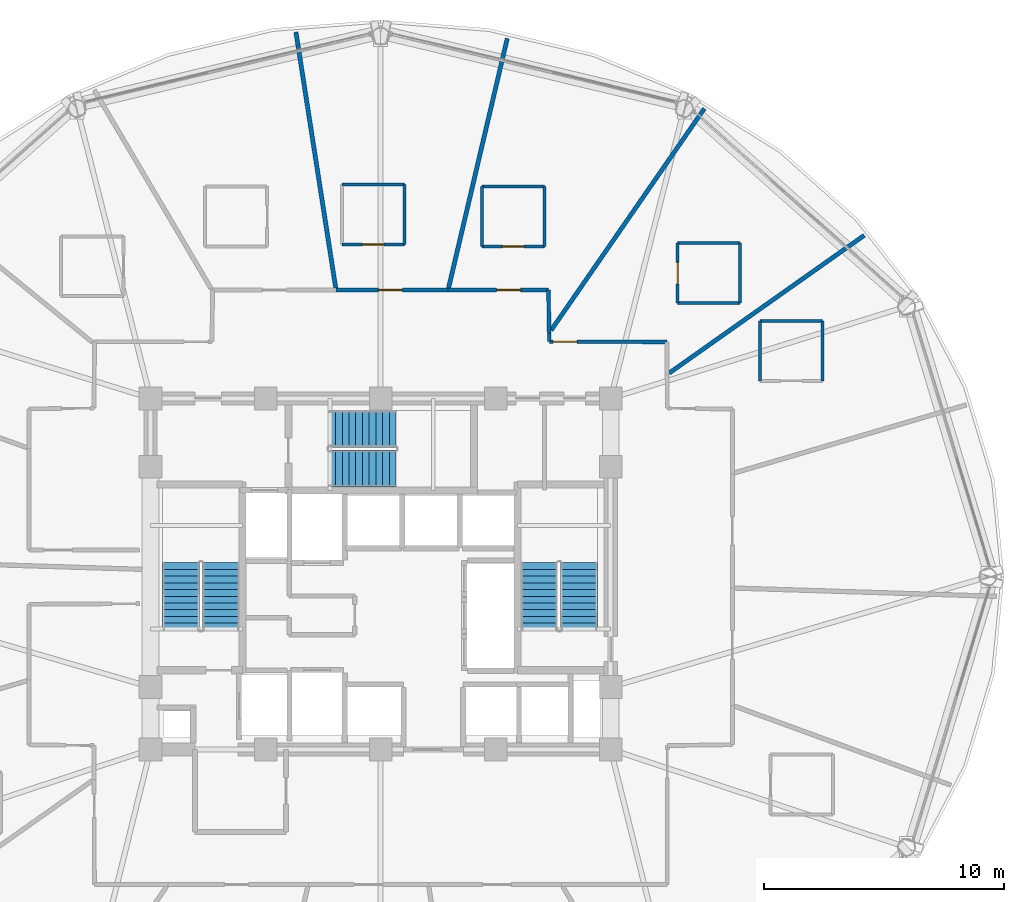
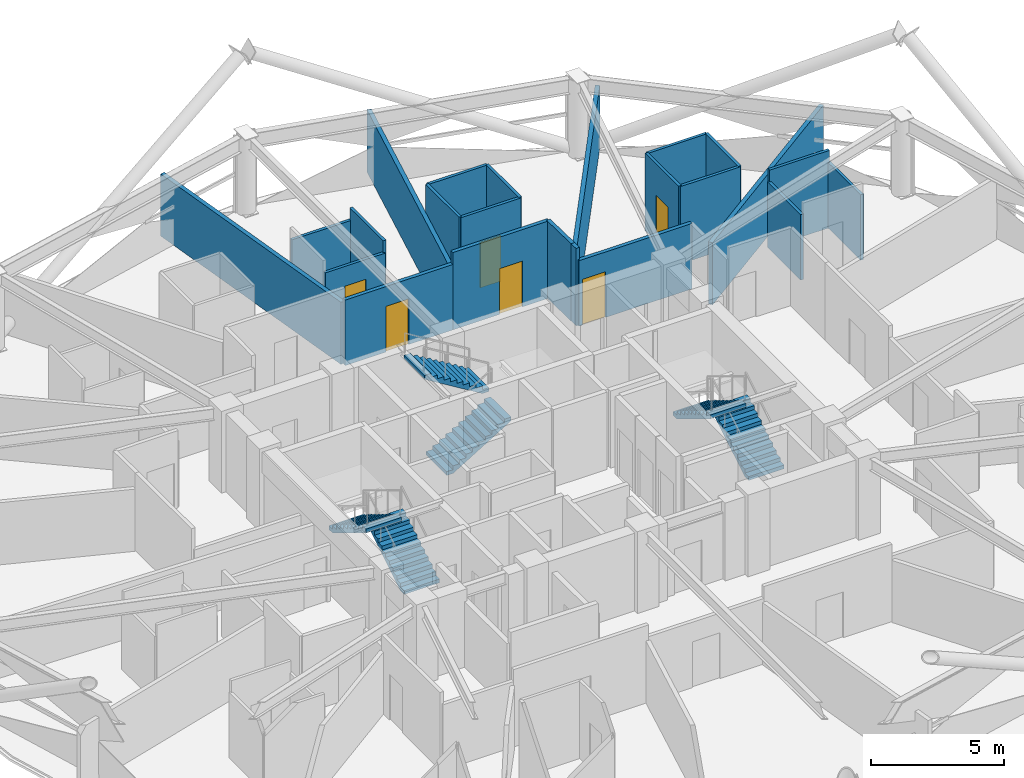
# One storey, part 26 of 30: 23 walls, 6 doors, 6 stair flights, 6 openings, 3 elements without a shape of their own.
"""IFC4 building model written with IfcOpenShell, lengths in metres."""

from ifc_helpers import new_model, si_unit, direction, frame, frame_2d, origin, place, context, subcontext, project, spatial, polyline, rectangle, outline, extrude, material, layer, layer_set, type_object, element, fill, aggregate, save


model = new_model("IFC4")

# Units and contexts
model_context = context("Model", 3, precision=1e-05, world=origin(), true_north=direction((0.0, 1.0)))
body_context = subcontext(model_context, "Body", "Model", "MODEL_VIEW")
ifc_project = project(units=[si_unit("LENGTHUNIT", "METRE"), si_unit("AREAUNIT", "SQUARE_METRE"), si_unit("VOLUMEUNIT", "CUBIC_METRE"), si_unit("PLANEANGLEUNIT", "RADIAN"), si_unit("MASSUNIT", "GRAM", prefix="KILO")], contexts=[model_context])

# Site, building, storey
site_placement = place(None, origin())
site = spatial("IfcSite", under=ifc_project, at=site_placement, CompositionType="ELEMENT")
building_placement = place(site_placement, origin())
building = spatial("IfcBuilding", under=site, at=building_placement, Name="Vantalir Tower", CompositionType="ELEMENT")
storey_placement = place(building_placement, frame((0.0, 0.0, 119.699951171875)))
storey = spatial("IfcBuildingStorey", under=building, at=storey_placement, Name="L29", CompositionType="ELEMENT", Elevation=119.699951171875)

# Walls
ifc_material_1 = material(Name="Moisture-resistant en-suite partition", Category="gypsum")
ifc_layer_1 = layer(ifc_material_1, 0.125)
ifc_layer_set_1 = layer_set([ifc_layer_1], Name="Moisture-resistant en-suite partition")
wall_type_1 = type_object("IfcWallType", Name="WL-BATH-125", PredefinedType="PARTITIONING", material=ifc_layer_set_1)
wall_1_placement = place(storey_placement, frame((47.333984375, 35.68310546875, 0.0), z_axis=(0.0, 0.0, 1.0), x_axis=(1.0, 0.0, 0.0)))
element("IfcWall", 1, at=wall_1_placement, inside=storey, type_object=wall_type_1, Name="L29 En-suite 01 North Wall", PredefinedType="PARTITIONING", context=body_context, shape_type="SweptSolid", body=[
    extrude(rectangle(XDim=2.60009765625, YDim=0.125, at=frame_2d((1.300048828125, 0.0))), origin(), (0.0, 0.0, 1.0), 3.550048828125),
])
for number, where, z_axis, x_axis, name in (
    (2, (47.333984375, 33.18310546875, 0.0), (0.0, 0.0, 1.0), (0.0, 1.0, 0.0), "L29 En-suite 01 West Wall"),
    (3, (49.93408203125, 33.18310546875, 0.0), (0.0, 0.0, 1.0), (0.0, 1.0, 0.0), "L29 En-suite 01 East Wall"),
):
    element("IfcWall", number, at=place(storey_placement, frame(where, z_axis=z_axis, x_axis=x_axis)), inside=storey, type_object=wall_type_1, Name=name, PredefinedType="PARTITIONING", context=body_context, shape_type="SweptSolid", body=[
        extrude(rectangle(XDim=2.5, YDim=0.125, at=frame_2d((1.25, 0.0))), origin(), (0.0, 0.0, 1.0), 3.006103515625),
    ])
for number, where, z_axis, x_axis, name in (
    (4, (43.89892578125, 36.424072265625, 0.0), (0.0, 0.0, 1.0), (1.0, 0.0, 0.0), "L29 En-suite 02 South Wall"),
    (5, (43.89892578125, 38.924072265625, 0.0), (0.0, 0.0, 1.0), (1.0, 0.0, 0.0), "L29 En-suite 02 North Wall"),
):
    element("IfcWall", number, at=place(storey_placement, frame(where, z_axis=z_axis, x_axis=x_axis)), inside=storey, type_object=wall_type_1, Name=name, PredefinedType="PARTITIONING", context=body_context, shape_type="SweptSolid", body=[
        extrude(rectangle(XDim=2.60009765625, YDim=0.125, at=frame_2d((1.300048828125, 0.0))), origin(), (0.0, 0.0, 1.0), 3.550048828125),
    ])

# Wall, opening, door
wall_2_placement = place(storey_placement, frame((43.89892578125, 36.424072265625, 0.0), z_axis=(0.0, 0.0, 1.0), x_axis=(0.0, 1.0, 0.0)))
wall_2 = element("IfcWall", 6, at=wall_2_placement, inside=storey, type_object=wall_type_1, Name="L29 En-suite 02 West Wall", PredefinedType="PARTITIONING", context=body_context, shape_type="SweptSolid", body=[
    extrude(rectangle(XDim=2.5, YDim=0.125, at=frame_2d((1.25, 0.0))), origin(), (0.0, 0.0, 1.0), 3.550048828125),
])
opening_1_placement = place(wall_2_placement, frame((0.800048828125, 0.0, 0.0)))
opening_1 = element("IfcOpeningElement", 7, at=opening_1_placement, cuts=wall_2, Name="Opening D-WC", PredefinedType="OPENING", context=body_context, shape_type="SweptSolid", body=[
    extrude(rectangle(XDim=0.89990234375, YDim=2.10009765625, at=frame_2d((0.449951171875, 1.050048828125))), frame((0.0, 0.072509765625, 0.0), z_axis=(0.0, -1.0, 0.0), x_axis=(1.0, 0.0, 0.0)), (0.0, 0.0, 1.0), 0.14501953125),
])
ifc_material_2 = material(Name="Moisture-resistant hardwood door", Category="wood")
door_type_1 = type_object("IfcDoorType", Name="DR-ENSUITE-900", OperationType="NOTDEFINED", PredefinedType="DOOR", material=ifc_material_2)
door_1_placement = place(opening_1_placement, frame((0.89990234375, 0.0, 0.0), z_axis=(0.0, 0.0, 1.0), x_axis=(-1.0, 0.0, 0.0)))
door_1 = element("IfcDoor", 8, at=door_1_placement, inside=storey, type_object=door_type_1, Name="L29 En-suite 02 Door", OperationType="SINGLE_SWING_RIGHT", OverallHeight=2.10009765625, OverallWidth=0.89990234375, PredefinedType="DOOR", context=body_context, shape_type="SweptSolid", body=[
    extrude(rectangle(XDim=0.89990234375, YDim=2.10009765625, at=frame_2d((0.449951171875, 1.050048828125))), frame((0.0, 0.02490234375, 0.0), z_axis=(0.0, -1.0, 0.0), x_axis=(1.0, 0.0, 0.0)), (0.0, 0.0, 1.0), 0.050048828125),
])
fill(opening_1, door_1)

# Wall
wall_3_placement = place(storey_placement, frame((46.4990234375, 36.424072265625, 0.0), z_axis=(0.0, 0.0, 1.0), x_axis=(0.0, 1.0, 0.0)))
element("IfcWall", 9, at=wall_3_placement, inside=storey, type_object=wall_type_1, Name="L29 En-suite 02 East Wall", PredefinedType="PARTITIONING", context=body_context, shape_type="SweptSolid", body=[
    extrude(rectangle(XDim=2.5, YDim=0.125, at=frame_2d((1.25, 0.0))), origin(), (0.0, 0.0, 1.0), 3.550048828125),
])

# Wall, opening, door
wall_4_placement = place(storey_placement, frame((35.72998046875, 38.784912109375, 0.0), z_axis=(0.0, 0.0, 1.0), x_axis=(1.0, 0.0, 0.0)))
wall_4 = element("IfcWall", 10, at=wall_4_placement, inside=storey, type_object=wall_type_1, Name="L29 En-suite 03 South Wall", PredefinedType="PARTITIONING", context=body_context, shape_type="SweptSolid", body=[
    extrude(rectangle(XDim=2.60009765625, YDim=0.125, at=frame_2d((1.300048828125, 0.0))), origin(), (0.0, 0.0, 1.0), 3.550048828125),
])
opening_2_placement = place(wall_4_placement, frame((0.85009765625, 0.0, 0.0)))
opening_2 = element("IfcOpeningElement", 11, at=opening_2_placement, cuts=wall_4, Name="Opening D-WC", PredefinedType="OPENING", context=body_context, shape_type="SweptSolid", body=[
    extrude(rectangle(XDim=0.89990234375, YDim=2.10009765625, at=frame_2d((0.449951171875, 1.050048828125))), frame((0.0, 0.072509765625, 0.0), z_axis=(0.0, -1.0, 0.0), x_axis=(1.0, 0.0, 0.0)), (0.0, 0.0, 1.0), 0.14501953125),
])
door_2_placement = place(opening_2_placement, origin())
door_2 = element("IfcDoor", 12, at=door_2_placement, inside=storey, type_object=door_type_1, Name="L29 En-suite 03 Door", OperationType="SINGLE_SWING_LEFT", OverallHeight=2.10009765625, OverallWidth=0.89990234375, PredefinedType="DOOR", context=body_context, shape_type="SweptSolid", body=[
    extrude(rectangle(XDim=0.89990234375, YDim=2.10009765625, at=frame_2d((0.449951171875, 1.050048828125))), frame((0.0, 0.02490234375, 0.0), z_axis=(0.0, -1.0, 0.0), x_axis=(1.0, 0.0, 0.0)), (0.0, 0.0, 1.0), 0.050048828125),
])
fill(opening_2, door_2)

# Walls
wall_5_placement = place(storey_placement, frame((35.72998046875, 41.284912109375, 0.0), z_axis=(0.0, 0.0, 1.0), x_axis=(1.0, 0.0, 0.0)))
element("IfcWall", 13, at=wall_5_placement, inside=storey, type_object=wall_type_1, Name="L29 En-suite 03 North Wall", PredefinedType="PARTITIONING", context=body_context, shape_type="SweptSolid", body=[
    extrude(rectangle(XDim=2.60009765625, YDim=0.125, at=frame_2d((1.300048828125, 0.0))), origin(), (0.0, 0.0, 1.0), 3.550048828125),
])
for number, where, z_axis, x_axis, name in (
    (14, (35.72998046875, 38.784912109375, 0.0), (0.0, 0.0, 1.0), (0.0, 1.0, 0.0), "L29 En-suite 03 West Wall"),
    (15, (38.330078125, 38.784912109375, 0.0), (0.0, 0.0, 1.0), (0.0, 1.0, 0.0), "L29 En-suite 03 East Wall"),
):
    element("IfcWall", number, at=place(storey_placement, frame(where, z_axis=z_axis, x_axis=x_axis)), inside=storey, type_object=wall_type_1, Name=name, PredefinedType="PARTITIONING", context=body_context, shape_type="SweptSolid", body=[
        extrude(rectangle(XDim=2.5, YDim=0.125, at=frame_2d((1.25, 0.0))), origin(), (0.0, 0.0, 1.0), 3.550048828125),
    ])

# Wall, opening, door
wall_6_placement = place(storey_placement, frame((29.887939453125, 38.875, 0.0), z_axis=(0.0, 0.0, 1.0), x_axis=(1.0, 0.0, 0.0)))
wall_6 = element("IfcWall", 16, at=wall_6_placement, inside=storey, type_object=wall_type_1, Name="L29 En-suite 04 South Wall", PredefinedType="PARTITIONING", context=body_context, shape_type="SweptSolid", body=[
    extrude(rectangle(XDim=2.60009765625, YDim=0.125, at=frame_2d((1.300048828125, 0.0))), origin(), (0.0, 0.0, 1.0), 3.006103515625),
])
opening_3_placement = place(wall_6_placement, frame((0.85009765625, 0.0, 0.0)))
opening_3 = element("IfcOpeningElement", 17, at=opening_3_placement, cuts=wall_6, Name="Opening D-WC", PredefinedType="OPENING", context=body_context, shape_type="SweptSolid", body=[
    extrude(rectangle(XDim=0.89990234375, YDim=2.10009765625, at=frame_2d((0.449951171875, 1.050048828125))), frame((0.0, 0.072509765625, 0.0), z_axis=(0.0, -1.0, 0.0), x_axis=(1.0, 0.0, 0.0)), (0.0, 0.0, 1.0), 0.14501953125),
])
door_3_placement = place(opening_3_placement, origin())
door_3 = element("IfcDoor", 18, at=door_3_placement, inside=storey, type_object=door_type_1, Name="L29 En-suite 04 Door", OperationType="SINGLE_SWING_RIGHT", OverallHeight=2.10009765625, OverallWidth=0.89990234375, PredefinedType="DOOR", context=body_context, shape_type="SweptSolid", body=[
    extrude(rectangle(XDim=0.89990234375, YDim=2.10009765625, at=frame_2d((0.449951171875, 1.050048828125))), frame((0.0, 0.02490234375, 0.0), z_axis=(0.0, -1.0, 0.0), x_axis=(1.0, 0.0, 0.0)), (0.0, 0.0, 1.0), 0.050048828125),
])
fill(opening_3, door_3)

# Walls
wall_7_placement = place(storey_placement, frame((29.887939453125, 41.375, 0.0), z_axis=(0.0, 0.0, 1.0), x_axis=(1.0, 0.0, 0.0)))
element("IfcWall", 19, at=wall_7_placement, inside=storey, type_object=wall_type_1, Name="L29 En-suite 04 North Wall", PredefinedType="PARTITIONING", context=body_context, shape_type="SweptSolid", body=[
    extrude(rectangle(XDim=2.60009765625, YDim=0.125, at=frame_2d((1.300048828125, 0.0))), origin(), (0.0, 0.0, 1.0), 3.006103515625),
])
wall_8_placement = place(storey_placement, frame((32.488037109375, 38.875, 0.0), z_axis=(0.0, 0.0, 1.0), x_axis=(0.0, 1.0, 0.0)))
element("IfcWall", 20, at=wall_8_placement, inside=storey, type_object=wall_type_1, Name="L29 En-suite 04 East Wall", PredefinedType="PARTITIONING", context=body_context, shape_type="SweptSolid", body=[
    extrude(rectangle(XDim=2.5, YDim=0.125, at=frame_2d((1.25, 0.0))), origin(), (0.0, 0.0, 1.0), 3.550048828125),
])

# Wall, opening, door
ifc_material_3 = material(Name="Fire-rated hotel corridor acoustic partition", Category="gypsum")
ifc_layer_2 = layer(ifc_material_3, 0.159912109375)
ifc_layer_set_2 = layer_set([ifc_layer_2], Name="Fire-rated hotel corridor acoustic partition")
wall_type_2 = type_object("IfcWallType", Name="WL-CORR-160", PredefinedType="PARTITIONING", material=ifc_layer_set_2)
wall_9_placement = place(storey_placement, frame((29.637939453125, 36.97607421875, 0.0), z_axis=(0.0, 0.0, 1.0), x_axis=(1.0, 0.0, 0.0)))
wall_9 = element("IfcWall", 21, at=wall_9_placement, inside=storey, type_object=wall_type_2, Name="L29 Corridor Partition 09", PredefinedType="PARTITIONING", context=body_context, shape_type="SweptSolid", body=[
    extrude(rectangle(XDim=4.677978515625, YDim=0.159912109375, at=frame_2d((2.3388671875, 0.0))), origin(), (0.0, 0.0, 1.0), 3.006103515625),
])
opening_4_placement = place(wall_9_placement, frame((1.76611328125, 0.0, 0.0)))
opening_4 = element("IfcOpeningElement", 22, at=opening_4_placement, cuts=wall_9, Name="Opening D-GUEST", PredefinedType="OPENING", context=body_context, shape_type="SweptSolid", body=[
    extrude(rectangle(XDim=1.0, YDim=2.10009765625, at=frame_2d((0.5, 1.050048828125))), frame((0.0, 0.08984375, 0.0), z_axis=(0.0, -1.0, 0.0), x_axis=(1.0, 0.0, 0.0)), (0.0, 0.0, 1.0), 0.179931640625),
])
ifc_material_4 = material(Name="Solid-core teak veneer acoustic fire door", Category="wood")
door_type_2 = type_object("IfcDoorType", Name="DR-GUEST-ENTRY-1000", OperationType="NOTDEFINED", PredefinedType="DOOR", material=ifc_material_4)
door_4_placement = place(opening_4_placement, origin())
door_4 = element("IfcDoor", 23, at=door_4_placement, inside=storey, type_object=door_type_2, Name="L29 Twin Queen Hotel Room 04 Door", OperationType="SINGLE_SWING_RIGHT", OverallHeight=2.10009765625, OverallWidth=1.0, PredefinedType="DOOR", context=body_context, shape_type="SweptSolid", body=[
    extrude(rectangle(XDim=1.0, YDim=2.10009765625, at=frame_2d((0.5, 1.050048828125))), frame((0.0, 0.02490234375, 0.0), z_axis=(0.0, -1.0, 0.0), x_axis=(1.0, 0.0, 0.0)), (0.0, 0.0, 1.0), 0.050048828125),
])
fill(opening_4, door_4)

wall_10_placement = place(storey_placement, frame((34.31591796875, 36.97607421875, 0.0), z_axis=(0.0, 0.0, 1.0), x_axis=(0.999999972813, 0.000233181759, 0.0)))
wall_10 = element("IfcWall", 24, at=wall_10_placement, inside=storey, type_object=wall_type_2, Name="L29 Corridor Partition 10", PredefinedType="PARTITIONING", context=body_context, shape_type="SweptSolid", body=[
    extrude(rectangle(XDim=4.18798828125, YDim=0.159912109375, at=frame_2d((2.093994140625, 0.0))), origin(), (0.0, 0.0, 1.0), 3.550048828125),
])
opening_5_placement = place(wall_10_placement, frame((2.02392578125, 0.0, 0.0)))
opening_5 = element("IfcOpeningElement", 25, at=opening_5_placement, cuts=wall_10, Name="Opening D-GUEST", PredefinedType="OPENING", context=body_context, shape_type="SweptSolid", body=[
    extrude(rectangle(XDim=1.0, YDim=2.10009765625, at=frame_2d((0.5, 1.050048828125))), frame((0.0, 0.08984375, 0.0), z_axis=(0.0, -1.0, 0.0), x_axis=(1.0, 0.0, 0.0)), (0.0, 0.0, 1.0), 0.179931640625),
])
door_5_placement = place(opening_5_placement, origin())
door_5 = element("IfcDoor", 26, at=door_5_placement, inside=storey, type_object=door_type_2, Name="L29 Deluxe King Hotel Room 03 Door", OperationType="SINGLE_SWING_LEFT", OverallHeight=2.10009765625, OverallWidth=1.0, PredefinedType="DOOR", context=body_context, shape_type="SweptSolid", body=[
    extrude(rectangle(XDim=1.0, YDim=2.10009765625, at=frame_2d((0.5, 1.050048828125))), frame((0.0, 0.02490234375, 0.0), z_axis=(0.0, -1.0, 0.0), x_axis=(1.0, 0.0, 0.0)), (0.0, 0.0, 1.0), 0.050048828125),
])
fill(opening_5, door_5)

# Walls
wall_11_placement = place(storey_placement, frame((38.50390625, 36.97705078125, 0.0), z_axis=(0.0, 0.0, 1.0), x_axis=(0.016671127333, -0.9998610271, 0.0)))
element("IfcWall", 27, at=wall_11_placement, inside=storey, type_object=wall_type_2, Name="L29 Corridor Partition 11", PredefinedType="PARTITIONING", context=body_context, shape_type="SweptSolid", body=[
    extrude(rectangle(XDim=1.80126953125, YDim=0.159912109375, at=frame_2d((0.900634765625, 0.0))), origin(), (0.0, 0.0, 1.0), 3.550048828125),
])
wall_12_placement = place(storey_placement, frame((38.533935546875, 35.176025390625, 0.0), z_axis=(0.0, 0.0, 1.0), x_axis=(0.016900898743, -0.999857169611, 0.0)))
element("IfcWall", 28, at=wall_12_placement, inside=storey, type_object=wall_type_2, Name="L29 Corridor Partition 12", PredefinedType="PARTITIONING", context=body_context, shape_type="SweptSolid", body=[
    extrude(rectangle(XDim=0.361083984375, YDim=0.159912109375, at=frame_2d((0.1806640625, 0.0))), origin(), (0.0, 0.0, 1.0), 3.550048828125),
])

# Wall, opening, door
wall_13_placement = place(storey_placement, frame((38.5400390625, 34.81494140625, 0.0), z_axis=(0.0, 0.0, 1.0), x_axis=(0.999999029632, -0.001393102783, 0.0)))
wall_13 = element("IfcWall", 29, at=wall_13_placement, inside=storey, type_object=wall_type_2, Name="L29 Corridor Partition 13", PredefinedType="PARTITIONING", context=body_context, shape_type="SweptSolid", body=[
    extrude(rectangle(XDim=4.906982421875, YDim=0.159912109375, at=frame_2d((2.45361328125, 0.0))), origin(), (0.0, 0.0, 1.0), 3.006103515625),
])
opening_6_placement = place(wall_13_placement, frame((0.159912109375, 0.0, 0.0)))
opening_6 = element("IfcOpeningElement", 30, at=opening_6_placement, cuts=wall_13, Name="Opening D-GUEST", PredefinedType="OPENING", context=body_context, shape_type="SweptSolid", body=[
    extrude(rectangle(XDim=1.0, YDim=2.10009765625, at=frame_2d((0.5, 1.050048828125))), frame((0.0, 0.08984375, 0.0), z_axis=(0.0, -1.0, 0.0), x_axis=(1.0, 0.0, 0.0)), (0.0, 0.0, 1.0), 0.179931640625),
])
door_6_placement = place(opening_6_placement, origin())
door_6 = element("IfcDoor", 31, at=door_6_placement, inside=storey, type_object=door_type_2, Name="L29 Deluxe King Hotel Room 02 Door", OperationType="SINGLE_SWING_RIGHT", OverallHeight=2.10009765625, OverallWidth=1.0, PredefinedType="DOOR", context=body_context, shape_type="SweptSolid", body=[
    extrude(rectangle(XDim=1.0, YDim=2.10009765625, at=frame_2d((0.5, 1.050048828125))), frame((0.0, 0.02490234375, 0.0), z_axis=(0.0, -1.0, 0.0), x_axis=(1.0, 0.0, 0.0)), (0.0, 0.0, 1.0), 0.050048828125),
])
fill(opening_6, door_6)

# Walls
ifc_material_5 = material(Name="Twin-stud acoustic fire-rated gypsum partition", Category="gypsum")
ifc_layer_3 = layer(ifc_material_5, 0.179931640625)
ifc_layer_set_3 = layer_set([ifc_layer_3], Name="Twin-stud acoustic fire-rated gypsum partition")
wall_type_3 = type_object("IfcWallType", Name="WL-GUEST-180", PredefinedType="PARTITIONING", material=ifc_layer_set_3)
wall_14_placement = place(storey_placement, frame((43.5400390625, 33.50390625, 0.0), z_axis=(0.0, 0.0, 1.0), x_axis=(0.816848359807, 0.576852456942, 0.0)))
element("IfcWall", 32, at=wall_14_placement, inside=storey, type_object=wall_type_3, Name="L29 Radial Suite Partition 02", PredefinedType="PARTITIONING", context=body_context, shape_type="SweptSolid", body=[
    extrude(rectangle(XDim=9.96630859375, YDim=0.179931640625, at=frame_2d((4.983154296875, 0.0))), origin(), (0.0, 0.0, 1.0), 2.85107421875),
])
wall_15_placement = place(storey_placement, frame((38.614990234375, 35.29296875, 0.0), z_axis=(0.0, 0.0, 1.0), x_axis=(0.56856540962, 0.822638058312, 0.0)))
element("IfcWall", 33, at=wall_15_placement, inside=storey, type_object=wall_type_3, Name="L29 Radial Suite Partition 03", PredefinedType="PARTITIONING", context=body_context, shape_type="SweptSolid", body=[
    extrude(rectangle(XDim=11.249267578125, YDim=0.179931640625, at=frame_2d((5.62451171875, 0.0))), origin(), (0.0, 0.0, 1.0), 2.85107421875),
])
wall_16_placement = place(storey_placement, frame((34.333984375, 37.052978515625, 0.0), z_axis=(0.0, 0.0, 1.0), x_axis=(0.228966871789, 0.973434215355, 0.0)))
element("IfcWall", 34, at=wall_16_placement, inside=storey, type_object=wall_type_3, Name="L29 Radial Suite Partition 04", PredefinedType="PARTITIONING", context=body_context, shape_type="SweptSolid", body=[
    extrude(rectangle(XDim=10.704345703125, YDim=0.179931640625, at=frame_2d((5.35205078125, 0.0))), origin(), (0.0, 0.0, 1.0), 2.85107421875),
])
wall_17_placement = place(storey_placement, frame((29.6259765625, 37.052978515625, 0.0), z_axis=(0.0, 0.0, 1.0), x_axis=(-0.153656558966, 0.988124314996, 0.0)))
element("IfcWall", 35, at=wall_17_placement, inside=storey, type_object=wall_type_3, Name="L29 Radial Suite Partition 05", PredefinedType="PARTITIONING", context=body_context, shape_type="SweptSolid", body=[
    extrude(rectangle(XDim=10.8154296875, YDim=0.179931640625, at=frame_2d((5.40771484375, 0.0))), origin(), (0.0, 0.0, 1.0), 2.85107421875),
])

# Stair, stair flights
ifc_material_6 = material(Name="Concrete C40/50", Category="concrete")
stair_type = type_object("IfcStairType", Name="STR-CORE-1450", PredefinedType="HALF_TURN_STAIR", material=ifc_material_6)
stair_1_placement = place(storey_placement, origin())
stair_1 = element("IfcStair", 36, at=stair_1_placement, inside=storey, type_object=stair_type, Name="L29 Core Exit Stair 1", PredefinedType="HALF_TURN_STAIR")
stair_flight_type = type_object("IfcStairFlightType", Name="FLT-CORE-1450", PredefinedType="STRAIGHT", material=ifc_material_6)
stair_flight_1_placement = place(storey_placement, frame((24.830078125, 22.7900390625, 0.0), z_axis=(0.0, 0.0, 1.0), x_axis=(0.0, 1.0, 0.0)))
stair_flight_1 = element("IfcStairFlight", 37, at=stair_flight_1_placement, type_object=stair_flight_type, Name="ST1 flight 1", NumberOfRisers=11, NumberOfTreads=10, PredefinedType="STRAIGHT", RiserHeight=0.170454545, TreadLength=0.28, context=body_context, shape_type="SweptSolid", body=[
    extrude(outline(polyline([(0.0, 0.0), (0.0, 0.17041015625), (0.280029296875, 0.17041015625), (0.280029296875, 0.3408203125), (0.56005859375, 0.3408203125), (0.56005859375, 0.511474609375), (0.840087890625, 0.511474609375), (0.840087890625, 0.681884765625), (1.1201171875, 0.681884765625), (1.1201171875, 0.852294921875), (1.39990234375, 0.852294921875), (1.39990234375, 1.022705078125), (1.679931640625, 1.022705078125), (1.679931640625, 1.193115234375), (1.9599609375, 1.193115234375), (1.9599609375, 1.363525390625), (2.239990234375, 1.363525390625), (2.239990234375, 1.5341796875), (2.52001953125, 1.5341796875), (2.52001953125, 1.70458984375), (2.800048828125, 1.70458984375), (2.800048828125, 1.875), (2.800048828125, 1.529052734375), (0.288330078125, 0.0), (0.0, 0.0)])), frame((0.0, 0.77001953125, 0.0), z_axis=(0.0, -1.0, 0.0), x_axis=(1.0, 0.0, 0.0)), (0.0, 0.0, 1.0), 1.5400390625),
])
stair_flight_2_placement = place(storey_placement, frame((23.169921875, 25.590087890625, 1.875), z_axis=(0.0, 0.0, 1.0), x_axis=(0.0, -1.0, 0.0)))
stair_flight_2 = element("IfcStairFlight", 38, at=stair_flight_2_placement, type_object=stair_flight_type, Name="ST1 flight 2", NumberOfRisers=11, NumberOfTreads=10, PredefinedType="STRAIGHT", RiserHeight=0.170454545, TreadLength=0.28, context=body_context, shape_type="SweptSolid", body=[
    extrude(outline(polyline([(0.0, 0.0), (0.0, 0.17041015625), (0.280029296875, 0.17041015625), (0.280029296875, 0.3408203125), (0.56005859375, 0.3408203125), (0.56005859375, 0.511474609375), (0.840087890625, 0.511474609375), (0.840087890625, 0.681884765625), (1.1201171875, 0.681884765625), (1.1201171875, 0.852294921875), (1.39990234375, 0.852294921875), (1.39990234375, 1.022705078125), (1.679931640625, 1.022705078125), (1.679931640625, 1.193115234375), (1.9599609375, 1.193115234375), (1.9599609375, 1.363525390625), (2.239990234375, 1.363525390625), (2.239990234375, 1.5341796875), (2.52001953125, 1.5341796875), (2.52001953125, 1.70458984375), (2.800048828125, 1.70458984375), (2.800048828125, 1.875), (2.800048828125, 1.529052734375), (0.288330078125, 0.0), (0.0, 0.0)])), frame((0.0, 0.77001953125, 0.0), z_axis=(0.0, -1.0, 0.0), x_axis=(1.0, 0.0, 0.0)), (0.0, 0.0, 1.0), 1.5400390625),
])
aggregate(stair_1, [stair_flight_1, stair_flight_2])

stair_2_placement = place(storey_placement, origin())
stair_2 = element("IfcStair", 39, at=stair_2_placement, inside=storey, type_object=stair_type, Name="L29 Core Exit Stair 2", PredefinedType="HALF_TURN_STAIR")
stair_flight_3_placement = place(storey_placement, frame((39.780029296875, 22.7900390625, 0.0), z_axis=(0.0, 0.0, 1.0), x_axis=(0.0, 1.0, 0.0)))
stair_flight_3 = element("IfcStairFlight", 40, at=stair_flight_3_placement, type_object=stair_flight_type, Name="ST2 flight 1", NumberOfRisers=11, NumberOfTreads=10, PredefinedType="STRAIGHT", RiserHeight=0.170454545, TreadLength=0.28, context=body_context, shape_type="SweptSolid", body=[
    extrude(outline(polyline([(0.0, 0.0), (0.0, 0.17041015625), (0.280029296875, 0.17041015625), (0.280029296875, 0.3408203125), (0.56005859375, 0.3408203125), (0.56005859375, 0.511474609375), (0.840087890625, 0.511474609375), (0.840087890625, 0.681884765625), (1.1201171875, 0.681884765625), (1.1201171875, 0.852294921875), (1.39990234375, 0.852294921875), (1.39990234375, 1.022705078125), (1.679931640625, 1.022705078125), (1.679931640625, 1.193115234375), (1.9599609375, 1.193115234375), (1.9599609375, 1.363525390625), (2.239990234375, 1.363525390625), (2.239990234375, 1.5341796875), (2.52001953125, 1.5341796875), (2.52001953125, 1.70458984375), (2.800048828125, 1.70458984375), (2.800048828125, 1.875), (2.800048828125, 1.529052734375), (0.288330078125, 0.0), (0.0, 0.0)])), frame((0.0, 0.77001953125, 0.0), z_axis=(0.0, -1.0, 0.0), x_axis=(1.0, 0.0, 0.0)), (0.0, 0.0, 1.0), 1.5400390625),
])
stair_flight_4_placement = place(storey_placement, frame((38.1201171875, 25.590087890625, 1.875), z_axis=(0.0, 0.0, 1.0), x_axis=(0.0, -1.0, 0.0)))
stair_flight_4 = element("IfcStairFlight", 41, at=stair_flight_4_placement, type_object=stair_flight_type, Name="ST2 flight 2", NumberOfRisers=11, NumberOfTreads=10, PredefinedType="STRAIGHT", RiserHeight=0.170454545, TreadLength=0.28, context=body_context, shape_type="SweptSolid", body=[
    extrude(outline(polyline([(0.0, 0.0), (0.0, 0.17041015625), (0.280029296875, 0.17041015625), (0.280029296875, 0.3408203125), (0.56005859375, 0.3408203125), (0.56005859375, 0.511474609375), (0.840087890625, 0.511474609375), (0.840087890625, 0.681884765625), (1.1201171875, 0.681884765625), (1.1201171875, 0.852294921875), (1.39990234375, 0.852294921875), (1.39990234375, 1.022705078125), (1.679931640625, 1.022705078125), (1.679931640625, 1.193115234375), (1.9599609375, 1.193115234375), (1.9599609375, 1.363525390625), (2.239990234375, 1.363525390625), (2.239990234375, 1.5341796875), (2.52001953125, 1.5341796875), (2.52001953125, 1.70458984375), (2.800048828125, 1.70458984375), (2.800048828125, 1.875), (2.800048828125, 1.529052734375), (0.288330078125, 0.0), (0.0, 0.0)])), frame((0.0, 0.77001953125, 0.0), z_axis=(0.0, -1.0, 0.0), x_axis=(1.0, 0.0, 0.0)), (0.0, 0.0, 1.0), 1.5400390625),
])
aggregate(stair_2, [stair_flight_3, stair_flight_4])

stair_3_placement = place(storey_placement, origin())
stair_3 = element("IfcStair", 42, at=stair_3_placement, inside=storey, type_object=stair_type, Name="L29 Core Exit Stair 3", PredefinedType="HALF_TURN_STAIR")
stair_flight_5_placement = place(storey_placement, frame((29.340087890625, 29.52001953125, 0.0), z_axis=(0.0, 0.0, 1.0), x_axis=(1.0, 0.0, 0.0)))
stair_flight_5 = element("IfcStairFlight", 43, at=stair_flight_5_placement, type_object=stair_flight_type, Name="ST3 flight 1", NumberOfRisers=11, NumberOfTreads=10, PredefinedType="STRAIGHT", RiserHeight=0.170454545, TreadLength=0.28, context=body_context, shape_type="SweptSolid", body=[
    extrude(outline(polyline([(0.0, 0.0), (0.0, 0.17041015625), (0.280029296875, 0.17041015625), (0.280029296875, 0.3408203125), (0.56005859375, 0.3408203125), (0.56005859375, 0.511474609375), (0.840087890625, 0.511474609375), (0.840087890625, 0.681884765625), (1.1201171875, 0.681884765625), (1.1201171875, 0.852294921875), (1.39990234375, 0.852294921875), (1.39990234375, 1.022705078125), (1.679931640625, 1.022705078125), (1.679931640625, 1.193115234375), (1.9599609375, 1.193115234375), (1.9599609375, 1.363525390625), (2.239990234375, 1.363525390625), (2.239990234375, 1.5341796875), (2.52001953125, 1.5341796875), (2.52001953125, 1.70458984375), (2.800048828125, 1.70458984375), (2.800048828125, 1.875), (2.800048828125, 1.529052734375), (0.288330078125, 0.0), (0.0, 0.0)])), frame((0.0, 0.77001953125, 0.0), z_axis=(0.0, -1.0, 0.0), x_axis=(1.0, 0.0, 0.0)), (0.0, 0.0, 1.0), 1.5400390625),
])
stair_flight_6_placement = place(storey_placement, frame((32.139892578125, 31.179931640625, 1.875), z_axis=(0.0, 0.0, 1.0), x_axis=(-1.0, 0.0, 0.0)))
stair_flight_6 = element("IfcStairFlight", 44, at=stair_flight_6_placement, type_object=stair_flight_type, Name="ST3 flight 2", NumberOfRisers=11, NumberOfTreads=10, PredefinedType="STRAIGHT", RiserHeight=0.170454545, TreadLength=0.28, context=body_context, shape_type="SweptSolid", body=[
    extrude(outline(polyline([(0.0, 0.0), (0.0, 0.17041015625), (0.280029296875, 0.17041015625), (0.280029296875, 0.3408203125), (0.56005859375, 0.3408203125), (0.56005859375, 0.511474609375), (0.840087890625, 0.511474609375), (0.840087890625, 0.681884765625), (1.1201171875, 0.681884765625), (1.1201171875, 0.852294921875), (1.39990234375, 0.852294921875), (1.39990234375, 1.022705078125), (1.679931640625, 1.022705078125), (1.679931640625, 1.193115234375), (1.9599609375, 1.193115234375), (1.9599609375, 1.363525390625), (2.239990234375, 1.363525390625), (2.239990234375, 1.5341796875), (2.52001953125, 1.5341796875), (2.52001953125, 1.70458984375), (2.800048828125, 1.70458984375), (2.800048828125, 1.875), (2.800048828125, 1.529052734375), (0.288330078125, 0.0), (0.0, 0.0)])), frame((0.0, 0.77001953125, 0.0), z_axis=(0.0, -1.0, 0.0), x_axis=(1.0, 0.0, 0.0)), (0.0, 0.0, 1.0), 1.5400390625),
])
aggregate(stair_3, [stair_flight_5, stair_flight_6])

save(model, "model.ifc")
